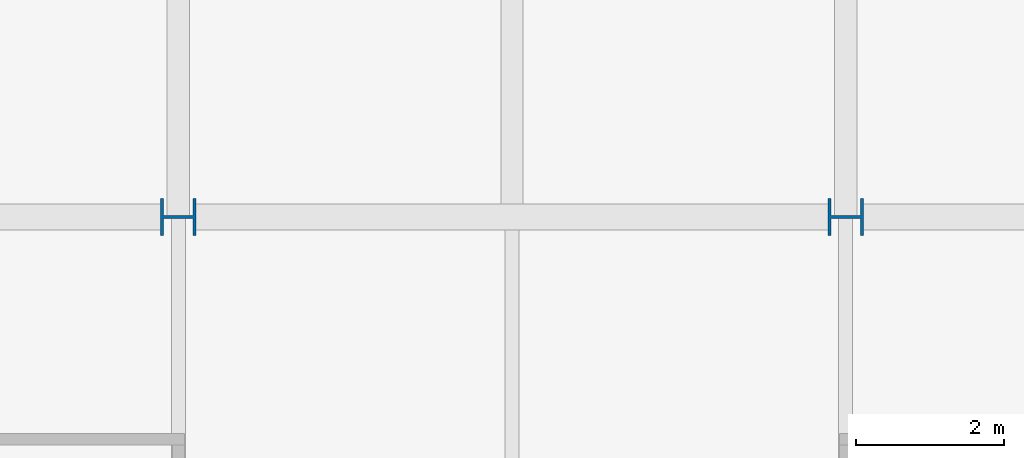
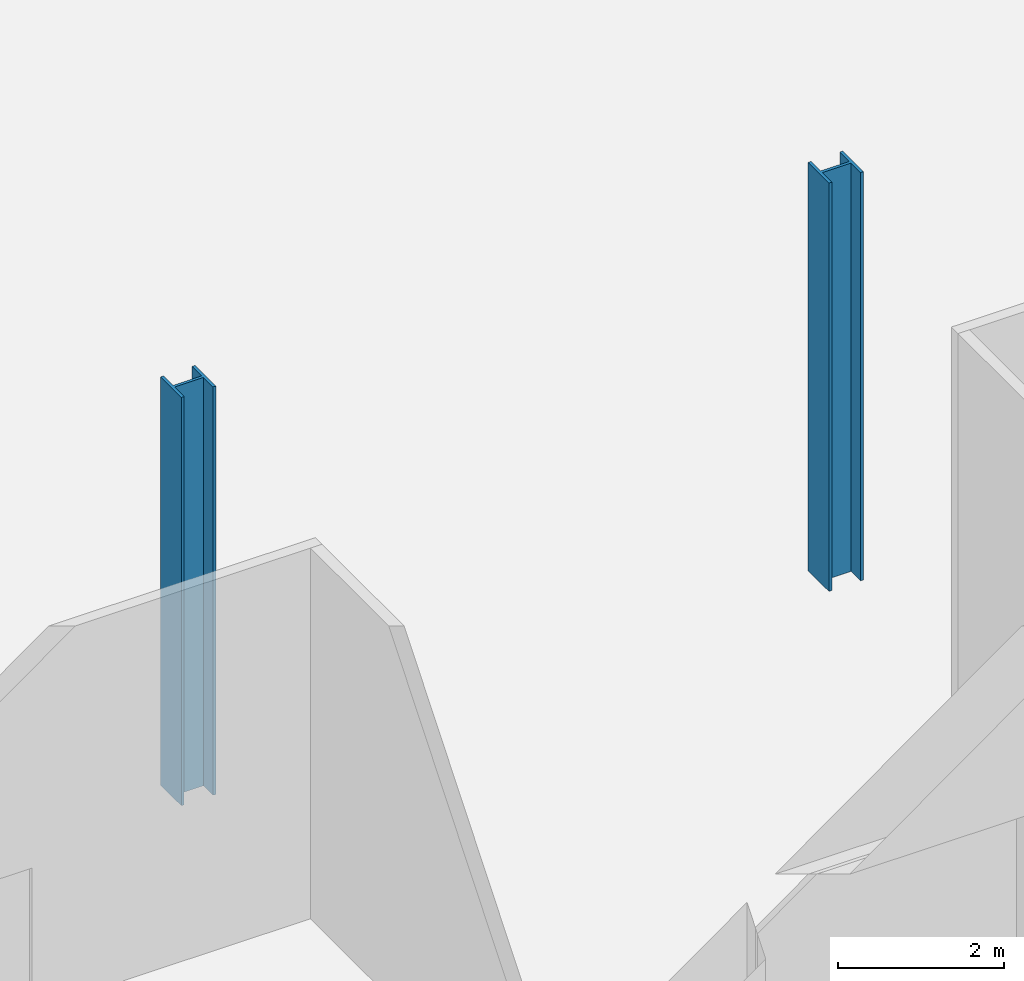
# One storey, part 15 of 97: 2 columns.
"""IFC4 building model written with IfcOpenShell, lengths in metres."""

import ifcopenshell
import ifcopenshell.guid

model = None  # the IFC model being written
_history = None  # IfcOwnerHistory: only IFC2X3 demands one
_inside = {}  # id of a spatial element -> (the spatial element, [elements in it])
_under = {}  # id of a project, library or spatial element -> (it, [spatial elements below it])
_declared = {}  # id of a project -> (the project, [libraries it declares])
_typed = {}  # id of a type object -> (the type object, [elements of that type])
_made_of = {}  # id of a material, layer set ... -> (it, [elements and type objects made of it])


def new_model(schema):
    """Start an empty IFC model of exactly this schema.

    Asked for "IFC4X3", IfcOpenShell would pick the latest addendum, in which some entities
    have other attributes; the version numbers below select the first issue.
    IFC2X3 requires an IfcOwnerHistory on every rooted entity: one is made here for all.
    """
    global model, _history
    if schema == "IFC4X3":
        model = ifcopenshell.file(schema_version=(4, 3, 0, 0))
    else:
        model = ifcopenshell.file(schema=schema)
    _inside.clear()
    _under.clear()
    _declared.clear()
    _typed.clear()
    _made_of.clear()
    _history = None
    if model.schema == "IFC2X3":
        org = make("IfcOrganization", Name="unknown")
        user = make(
            "IfcPersonAndOrganization",
            ThePerson=make("IfcPerson", FamilyName="unknown"),
            TheOrganization=org,
        )
        app = make(
            "IfcApplication",
            ApplicationDeveloper=org,
            Version="unknown",
            ApplicationFullName="unknown",
            ApplicationIdentifier="unknown",
        )
        _history = make(
            "IfcOwnerHistory",
            OwningUser=user,
            OwningApplication=app,
            ChangeAction="ADDED",
            CreationDate=0,
        )
    return model


def make(cls, **values):
    """One entity of the class cls with the attributes given. An attribute that is None is left unset."""
    return model.create_entity(
        cls, **{name: value for name, value in values.items() if value is not None}
    )


def rooted(cls, **values):
    """An entity with a GlobalId (a new one), such as an element, a storey or a relation."""
    return make(cls, GlobalId=ifcopenshell.guid.new(), OwnerHistory=_history, **values)


def si_unit(unit_type, name, prefix=None):
    """IfcSIUnit, for example si_unit("LENGTHUNIT", "METRE", prefix="MILLI")."""
    return make("IfcSIUnit", UnitType=unit_type, Prefix=prefix, Name=name)


def assignment(units):
    """IfcUnitAssignment: the units of a project."""
    return None if units is None else make("IfcUnitAssignment", Units=units)


def point(xyz):
    """IfcCartesianPoint."""
    return None if xyz is None else make("IfcCartesianPoint", Coordinates=xyz)


def direction(xyz):
    """IfcDirection."""
    return None if xyz is None else make("IfcDirection", DirectionRatios=xyz)


def frame(location, z_axis=None, x_axis=None):
    """IfcAxis2Placement3D, a coordinate frame: its origin and axes. An axis left out is left unset."""
    return make(
        "IfcAxis2Placement3D",
        Location=point(location),
        Axis=direction(z_axis),
        RefDirection=direction(x_axis),
    )


def frame_2d(location, x_axis=None):
    """IfcAxis2Placement2D, a coordinate frame in the plane: its origin and x axis."""
    return make(
        "IfcAxis2Placement2D", Location=point(location), RefDirection=direction(x_axis)
    )


def origin():
    """The frame at (0, 0, 0) with its axes left unset."""
    return frame((0.0, 0.0, 0.0))


def origin_2d():
    """The frame at (0, 0) in the plane with its x axis left unset."""
    return frame_2d((0.0, 0.0))


def place(relative_to, where):
    """IfcLocalPlacement: puts the frame where relative to a parent placement (None: the world)."""
    return make(
        "IfcLocalPlacement", PlacementRelTo=relative_to, RelativePlacement=where
    )


def context(
    kind, dimensions, precision=None, world=None, true_north=None, identifier=None
):
    """IfcGeometricRepresentationContext, for example the 3D "Model" context."""
    return make(
        "IfcGeometricRepresentationContext",
        ContextIdentifier=identifier,
        ContextType=kind,
        CoordinateSpaceDimension=dimensions,
        Precision=precision,
        WorldCoordinateSystem=world,
        TrueNorth=true_north,
    )


def subcontext(parent, identifier, kind, view, scale=None):
    """IfcGeometricRepresentationSubContext, for example "Body" below "Model"."""
    return make(
        "IfcGeometricRepresentationSubContext",
        ContextIdentifier=identifier,
        ContextType=kind,
        ParentContext=parent,
        TargetScale=scale,
        TargetView=view,
    )


def project(units=None, contexts=None):
    """IfcProject with its units and contexts."""
    return rooted(
        "IfcProject",
        Name="project",
        RepresentationContexts=contexts,
        UnitsInContext=assignment(units),
    )


def spatial(cls, under=None, at=None, **own):
    """A site, building, storey or space (cls), placed at a placement, below another one or the project."""
    s = rooted(cls, ObjectPlacement=at, **own)
    if under is not None:
        _under.setdefault(under.id(), (under, []))[1].append(s)
    return s


def profile(cls, at=None, kind="AREA", **sizes):
    """A parametric profile (cls). Its sizes go by their IFC names, for example OverallWidth=200.0."""
    return make(cls, ProfileType=kind, Position=at, **sizes)


def i_section(**sizes):
    """IfcIShapeProfileDef."""
    return profile("IfcIShapeProfileDef", **sizes)


def extrude(swept, where, along, depth):
    """IfcExtrudedAreaSolid: the profile swept, set in the frame where, extruded along a direction by depth."""
    return make(
        "IfcExtrudedAreaSolid",
        SweptArea=swept,
        Position=where,
        ExtrudedDirection=direction(along),
        Depth=depth,
    )


def shape(context_of_items, identifier, shape_type, items):
    """IfcShapeRepresentation: the items that make up one representation, for example the "Body"."""
    return make(
        "IfcShapeRepresentation",
        ContextOfItems=context_of_items,
        RepresentationIdentifier=identifier,
        RepresentationType=shape_type,
        Items=items,
    )


def material(Name=None, Category=None):
    """IfcMaterial."""
    return make("IfcMaterial", Name=Name, Category=Category)


def material_profile(
    of_material, cross_section, Name=None, Category=None, Priority=None
):
    """IfcMaterialProfile: a cross section and its material."""
    return make(
        "IfcMaterialProfile",
        Name=Name,
        Material=of_material,
        Profile=cross_section,
        Priority=Priority,
        Category=Category,
    )


def profile_set(profiles, Name=None, composite=None):
    """IfcMaterialProfileSet."""
    return make(
        "IfcMaterialProfileSet",
        Name=Name,
        MaterialProfiles=profiles,
        CompositeProfile=composite,
    )


def made_of(thing, what):
    """Note that an element or type object is made of a material, layer set ...; save() writes the relation."""
    if what is not None:
        _made_of.setdefault(what.id(), (what, []))[1].append(thing)
    return thing


def type_object(cls, material=None, **own):
    """A type object (cls), such as IfcWallType, which elements share."""
    return made_of(rooted(cls, **own), material)


def element(
    cls,
    number,
    at=None,
    inside=None,
    cuts=None,
    type_object=None,
    material=None,
    context=None,
    identifier="Body",
    shape_type=None,
    held_by="IfcProductDefinitionShape",
    body=None,
    shapes=None,
    **own,
):
    """One element of the class cls, such as IfcWall. Its Tag is "e" and its number.

    at: its placement. inside: the storey or other place that contains it. cuts: it is an
    opening in that element (IfcRelVoidsElement). A single representation is given by context,
    identifier, shape_type and body (its items); several are given by shapes. held_by: the class
    of the entity that holds the representations. save() writes the other relations.
    """
    e = rooted(cls, Tag="e%d" % number, ObjectPlacement=at, **own)
    if body is not None:
        shapes = [shape(context, identifier, shape_type, body)]
    if shapes is not None:
        e.Representation = make(held_by, Representations=shapes)
    if inside is not None:
        _inside.setdefault(inside.id(), (inside, []))[1].append(e)
    if cuts is not None:
        rooted(
            "IfcRelVoidsElement", RelatingBuildingElement=cuts, RelatedOpeningElement=e
        )
    if type_object is not None:
        _typed.setdefault(type_object.id(), (type_object, []))[1].append(e)
    return made_of(e, material)


def aggregate(whole, parts):
    """IfcRelAggregates: a whole, such as a stair, and the parts it consists of."""
    return rooted("IfcRelAggregates", RelatingObject=whole, RelatedObjects=parts)


def save(model, path):
    """Write the relations noted so far, then the file.

    IfcRelAggregates (storeys below a building ...), IfcRelContainedInSpatialStructure (elements
    in a storey), IfcRelDefinesByType, IfcRelAssociatesMaterial and IfcRelDeclares: one each for
    every whole, place, type object, material and project.
    """
    for whole, parts in _under.values():
        aggregate(whole, parts)
    for where, things in _inside.values():
        rooted(
            "IfcRelContainedInSpatialStructure",
            RelatedElements=things,
            RelatingStructure=where,
        )
    for kind, things in _typed.values():
        rooted("IfcRelDefinesByType", RelatedObjects=things, RelatingType=kind)
    for what, things in _made_of.values():
        rooted("IfcRelAssociatesMaterial", RelatedObjects=things, RelatingMaterial=what)
    for by, libraries in _declared.values():
        rooted("IfcRelDeclares", RelatingContext=by, RelatedDefinitions=libraries)
    model.write(path)


model = new_model("IFC4")

# Units and contexts
model_context = context("Model", 3, precision=1e-05, world=origin(), true_north=direction((0.0, 1.0)))
body_context = subcontext(model_context, "Body", "Model", "MODEL_VIEW")
ifc_project = project(units=[si_unit("LENGTHUNIT", "METRE"), si_unit("AREAUNIT", "SQUARE_METRE"), si_unit("VOLUMEUNIT", "CUBIC_METRE"), si_unit("PLANEANGLEUNIT", "RADIAN"), si_unit("MASSUNIT", "GRAM", prefix="KILO")], contexts=[model_context])

# Site, building, storey
site_placement = place(None, origin())
site = spatial("IfcSite", under=ifc_project, at=site_placement, CompositionType="ELEMENT")
building_placement = place(site_placement, origin())
building = spatial("IfcBuilding", under=site, at=building_placement, Name="Corbel Yard City Hall", CompositionType="ELEMENT")
storey_placement = place(building_placement, origin())
storey = spatial("IfcBuildingStorey", under=building, at=storey_placement, Name="L00", CompositionType="ELEMENT", Elevation=0.0)

# Columns
ifc_material = material(Name="Steel Grade 350", Category="steel")
ifc_material_profile = material_profile(ifc_material, i_section(OverallWidth=0.5, OverallDepth=0.47998046875, WebThickness=0.0400390625, FlangeThickness=0.0400390625, at=origin_2d()), Name="500WC440")
ifc_profile_set = profile_set([ifc_material_profile], Name="Steel Grade 350")
column_type = type_object("IfcColumnType", Name="Column 500WC440", PredefinedType="COLUMN", material=ifc_profile_set)
for number, where, z_axis, x_axis, name in (
    (1, (18.0, 99.0, 0.0), (0.0, 0.0, 1.0), (0.0, 1.0, 0.0), "Column 500WC440 L/3 L00"),
    (2, (27.0, 99.0, 0.0), (0.0, 0.0, 1.0), (0.0, 1.0, 0.0), "Column 500WC440 L/4 L00"),
):
    element("IfcColumn", number, at=place(storey_placement, frame(where, z_axis=z_axis, x_axis=x_axis)), inside=storey, type_object=column_type, Name=name, PredefinedType="COLUMN", context=body_context, shape_type="SweptSolid", body=[
        extrude(i_section(OverallWidth=0.5, OverallDepth=0.47998046875, WebThickness=0.0400390625, FlangeThickness=0.0400390625, at=origin_2d()), origin(), (0.0, 0.0, 1.0), 6.0),
    ])

save(model, "model.ifc")
